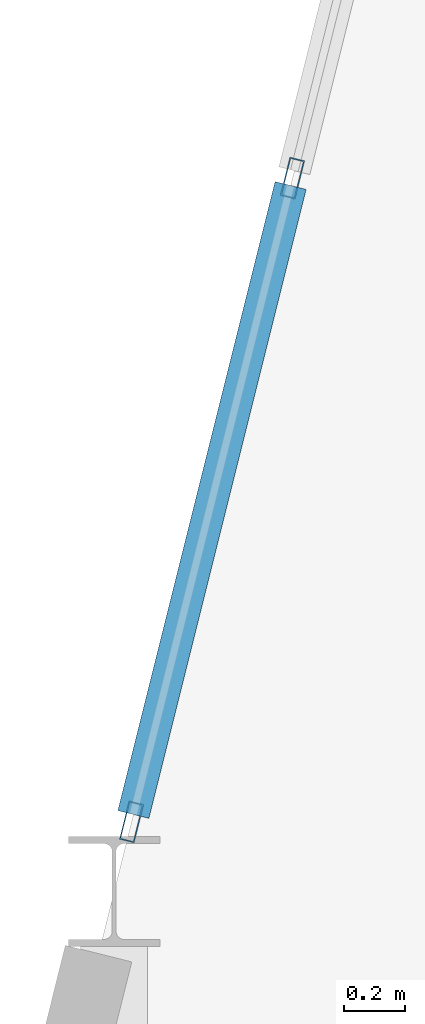
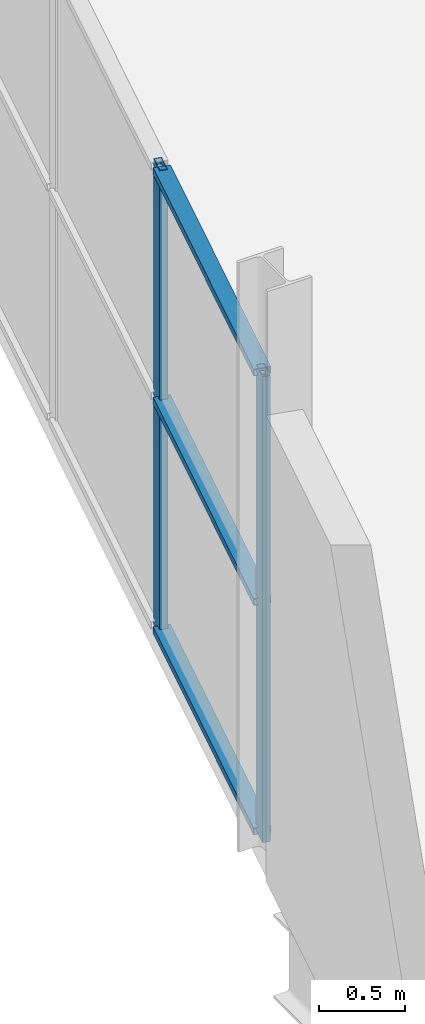
# One storey, part 56 of 135: 5 members, 1 element without a shape of its own.
"""IFC4 building model written with IfcOpenShell, lengths in metres."""

import ifcopenshell
import ifcopenshell.guid

model = None  # the IFC model being written
_history = None  # IfcOwnerHistory: only IFC2X3 demands one
_inside = {}  # id of a spatial element -> (the spatial element, [elements in it])
_under = {}  # id of a project, library or spatial element -> (it, [spatial elements below it])
_declared = {}  # id of a project -> (the project, [libraries it declares])
_typed = {}  # id of a type object -> (the type object, [elements of that type])
_made_of = {}  # id of a material, layer set ... -> (it, [elements and type objects made of it])


def new_model(schema):
    """Start an empty IFC model of exactly this schema.

    Asked for "IFC4X3", IfcOpenShell would pick the latest addendum, in which some entities
    have other attributes; the version numbers below select the first issue.
    IFC2X3 requires an IfcOwnerHistory on every rooted entity: one is made here for all.
    """
    global model, _history
    if schema == "IFC4X3":
        model = ifcopenshell.file(schema_version=(4, 3, 0, 0))
    else:
        model = ifcopenshell.file(schema=schema)
    _inside.clear()
    _under.clear()
    _declared.clear()
    _typed.clear()
    _made_of.clear()
    _history = None
    if model.schema == "IFC2X3":
        org = make("IfcOrganization", Name="unknown")
        user = make(
            "IfcPersonAndOrganization",
            ThePerson=make("IfcPerson", FamilyName="unknown"),
            TheOrganization=org,
        )
        app = make(
            "IfcApplication",
            ApplicationDeveloper=org,
            Version="unknown",
            ApplicationFullName="unknown",
            ApplicationIdentifier="unknown",
        )
        _history = make(
            "IfcOwnerHistory",
            OwningUser=user,
            OwningApplication=app,
            ChangeAction="ADDED",
            CreationDate=0,
        )
    return model


def make(cls, **values):
    """One entity of the class cls with the attributes given. An attribute that is None is left unset."""
    return model.create_entity(
        cls, **{name: value for name, value in values.items() if value is not None}
    )


def rooted(cls, **values):
    """An entity with a GlobalId (a new one), such as an element, a storey or a relation."""
    return make(cls, GlobalId=ifcopenshell.guid.new(), OwnerHistory=_history, **values)


def si_unit(unit_type, name, prefix=None):
    """IfcSIUnit, for example si_unit("LENGTHUNIT", "METRE", prefix="MILLI")."""
    return make("IfcSIUnit", UnitType=unit_type, Prefix=prefix, Name=name)


def assignment(units):
    """IfcUnitAssignment: the units of a project."""
    return None if units is None else make("IfcUnitAssignment", Units=units)


def point(xyz):
    """IfcCartesianPoint."""
    return None if xyz is None else make("IfcCartesianPoint", Coordinates=xyz)


def direction(xyz):
    """IfcDirection."""
    return None if xyz is None else make("IfcDirection", DirectionRatios=xyz)


def frame(location, z_axis=None, x_axis=None):
    """IfcAxis2Placement3D, a coordinate frame: its origin and axes. An axis left out is left unset."""
    return make(
        "IfcAxis2Placement3D",
        Location=point(location),
        Axis=direction(z_axis),
        RefDirection=direction(x_axis),
    )


def frame_2d(location, x_axis=None):
    """IfcAxis2Placement2D, a coordinate frame in the plane: its origin and x axis."""
    return make(
        "IfcAxis2Placement2D", Location=point(location), RefDirection=direction(x_axis)
    )


def origin():
    """The frame at (0, 0, 0) with its axes left unset."""
    return frame((0.0, 0.0, 0.0))


def origin_2d():
    """The frame at (0, 0) in the plane with its x axis left unset."""
    return frame_2d((0.0, 0.0))


def place(relative_to, where):
    """IfcLocalPlacement: puts the frame where relative to a parent placement (None: the world)."""
    return make(
        "IfcLocalPlacement", PlacementRelTo=relative_to, RelativePlacement=where
    )


def context(
    kind, dimensions, precision=None, world=None, true_north=None, identifier=None
):
    """IfcGeometricRepresentationContext, for example the 3D "Model" context."""
    return make(
        "IfcGeometricRepresentationContext",
        ContextIdentifier=identifier,
        ContextType=kind,
        CoordinateSpaceDimension=dimensions,
        Precision=precision,
        WorldCoordinateSystem=world,
        TrueNorth=true_north,
    )


def subcontext(parent, identifier, kind, view, scale=None):
    """IfcGeometricRepresentationSubContext, for example "Body" below "Model"."""
    return make(
        "IfcGeometricRepresentationSubContext",
        ContextIdentifier=identifier,
        ContextType=kind,
        ParentContext=parent,
        TargetScale=scale,
        TargetView=view,
    )


def project(units=None, contexts=None):
    """IfcProject with its units and contexts."""
    return rooted(
        "IfcProject",
        Name="project",
        RepresentationContexts=contexts,
        UnitsInContext=assignment(units),
    )


def spatial(cls, under=None, at=None, **own):
    """A site, building, storey or space (cls), placed at a placement, below another one or the project."""
    s = rooted(cls, ObjectPlacement=at, **own)
    if under is not None:
        _under.setdefault(under.id(), (under, []))[1].append(s)
    return s


def profile(cls, at=None, kind="AREA", **sizes):
    """A parametric profile (cls). Its sizes go by their IFC names, for example OverallWidth=200.0."""
    return make(cls, ProfileType=kind, Position=at, **sizes)


def hollow_rectangle(**sizes):
    """IfcRectangleHollowProfileDef."""
    return profile("IfcRectangleHollowProfileDef", **sizes)


def extrude(swept, where, along, depth):
    """IfcExtrudedAreaSolid: the profile swept, set in the frame where, extruded along a direction by depth."""
    return make(
        "IfcExtrudedAreaSolid",
        SweptArea=swept,
        Position=where,
        ExtrudedDirection=direction(along),
        Depth=depth,
    )


def shape(context_of_items, identifier, shape_type, items):
    """IfcShapeRepresentation: the items that make up one representation, for example the "Body"."""
    return make(
        "IfcShapeRepresentation",
        ContextOfItems=context_of_items,
        RepresentationIdentifier=identifier,
        RepresentationType=shape_type,
        Items=items,
    )


def material(Name=None, Category=None):
    """IfcMaterial."""
    return make("IfcMaterial", Name=Name, Category=Category)


def layer(
    of_material, thickness, ventilated=None, Name=None, Category=None, Priority=None
):
    """IfcMaterialLayer: one layer of a wall or slab, of a material (None: an air gap)."""
    return make(
        "IfcMaterialLayer",
        Material=of_material,
        LayerThickness=thickness,
        IsVentilated=ventilated,
        Name=Name,
        Category=Category,
        Priority=Priority,
    )


def layer_set(layers, Name=None):
    """IfcMaterialLayerSet."""
    return make("IfcMaterialLayerSet", MaterialLayers=layers, LayerSetName=Name)


def material_profile(
    of_material, cross_section, Name=None, Category=None, Priority=None
):
    """IfcMaterialProfile: a cross section and its material."""
    return make(
        "IfcMaterialProfile",
        Name=Name,
        Material=of_material,
        Profile=cross_section,
        Priority=Priority,
        Category=Category,
    )


def profile_set(profiles, Name=None, composite=None):
    """IfcMaterialProfileSet."""
    return make(
        "IfcMaterialProfileSet",
        Name=Name,
        MaterialProfiles=profiles,
        CompositeProfile=composite,
    )


def made_of(thing, what):
    """Note that an element or type object is made of a material, layer set ...; save() writes the relation."""
    if what is not None:
        _made_of.setdefault(what.id(), (what, []))[1].append(thing)
    return thing


def type_object(cls, material=None, **own):
    """A type object (cls), such as IfcWallType, which elements share."""
    return made_of(rooted(cls, **own), material)


def element(
    cls,
    number,
    at=None,
    inside=None,
    cuts=None,
    type_object=None,
    material=None,
    context=None,
    identifier="Body",
    shape_type=None,
    held_by="IfcProductDefinitionShape",
    body=None,
    shapes=None,
    **own,
):
    """One element of the class cls, such as IfcWall. Its Tag is "e" and its number.

    at: its placement. inside: the storey or other place that contains it. cuts: it is an
    opening in that element (IfcRelVoidsElement). A single representation is given by context,
    identifier, shape_type and body (its items); several are given by shapes. held_by: the class
    of the entity that holds the representations. save() writes the other relations.
    """
    e = rooted(cls, Tag="e%d" % number, ObjectPlacement=at, **own)
    if body is not None:
        shapes = [shape(context, identifier, shape_type, body)]
    if shapes is not None:
        e.Representation = make(held_by, Representations=shapes)
    if inside is not None:
        _inside.setdefault(inside.id(), (inside, []))[1].append(e)
    if cuts is not None:
        rooted(
            "IfcRelVoidsElement", RelatingBuildingElement=cuts, RelatedOpeningElement=e
        )
    if type_object is not None:
        _typed.setdefault(type_object.id(), (type_object, []))[1].append(e)
    return made_of(e, material)


def aggregate(whole, parts):
    """IfcRelAggregates: a whole, such as a stair, and the parts it consists of."""
    return rooted("IfcRelAggregates", RelatingObject=whole, RelatedObjects=parts)


def save(model, path):
    """Write the relations noted so far, then the file.

    IfcRelAggregates (storeys below a building ...), IfcRelContainedInSpatialStructure (elements
    in a storey), IfcRelDefinesByType, IfcRelAssociatesMaterial and IfcRelDeclares: one each for
    every whole, place, type object, material and project.
    """
    for whole, parts in _under.values():
        aggregate(whole, parts)
    for where, things in _inside.values():
        rooted(
            "IfcRelContainedInSpatialStructure",
            RelatedElements=things,
            RelatingStructure=where,
        )
    for kind, things in _typed.values():
        rooted("IfcRelDefinesByType", RelatedObjects=things, RelatingType=kind)
    for what, things in _made_of.values():
        rooted("IfcRelAssociatesMaterial", RelatedObjects=things, RelatingMaterial=what)
    for by, libraries in _declared.values():
        rooted("IfcRelDeclares", RelatingContext=by, RelatedDefinitions=libraries)
    model.write(path)


model = new_model("IFC4")

# Units and contexts
model_context = context("Model", 3, precision=1e-05, world=origin(), true_north=direction((0.0, 1.0)))
body_context = subcontext(model_context, "Body", "Model", "MODEL_VIEW")
ifc_project = project(units=[si_unit("LENGTHUNIT", "METRE"), si_unit("AREAUNIT", "SQUARE_METRE"), si_unit("VOLUMEUNIT", "CUBIC_METRE"), si_unit("PLANEANGLEUNIT", "RADIAN"), si_unit("MASSUNIT", "GRAM", prefix="KILO")], contexts=[model_context])

# Site, building, storey
site_placement = place(None, origin())
site = spatial("IfcSite", under=ifc_project, at=site_placement, CompositionType="ELEMENT")
building_placement = place(site_placement, origin())
building = spatial("IfcBuilding", under=site, at=building_placement, Name="Deido Ridge Mobility Hub", CompositionType="ELEMENT")
storey_placement = place(building_placement, frame((0.0, 0.0, 4.199951171875)))
storey = spatial("IfcBuildingStorey", under=building, at=storey_placement, Name="L01", CompositionType="ELEMENT", Elevation=4.199951171875)

# Curtain wall, members
ifc_material = material(Name="Anodised aluminium EN AW-6063 T6", Category="aluminium")
ifc_layer = layer(ifc_material, 0.179931640625, Name="Anodised aluminium EN AW-6063 T6")
ifc_layer_set = layer_set([ifc_layer], Name="Anodised aluminium EN AW-6063 T6")
curtain_wall_type = type_object("IfcCurtainWallType", Name="CW-UF-2", PredefinedType="USERDEFINED", material=ifc_layer_set)
curtain_wall_placement = place(storey_placement, origin())
curtain_wall = element("IfcCurtainWall", 1, at=curtain_wall_placement, inside=storey, type_object=curtain_wall_type, Name="Unitised curtain wall CW2", ObjectType="UNITISED FACADE", PredefinedType="USERDEFINED")
ifc_material_profile_1 = material_profile(ifc_material, hollow_rectangle(XDim=0.050048828125, YDim=0.1298828125, WallThickness=0.00390625, at=origin_2d()), Name="RHS 50x130x4")
ifc_profile_set_1 = profile_set([ifc_material_profile_1], Name="Anodised aluminium EN AW-6063 T6")
member_type_1 = type_object("IfcMemberType", Name="MEM-MUL-50X130", PredefinedType="MULLION", material=ifc_profile_set_1)
member_1_placement = place(storey_placement, frame((123.807373046875, 27.22900390625, 0.0), z_axis=(0.0, 0.0, 1.0), x_axis=(-0.970143832947, 0.242530293767, 0.0)))
member_1 = element("IfcMember", 2, at=member_1_placement, type_object=member_type_1, Name="CW2 mullion 1", PredefinedType="MULLION", context=body_context, shape_type="SweptSolid", body=[
    extrude(hollow_rectangle(XDim=0.050048828125, YDim=0.1298828125, WallThickness=0.00390625, at=origin_2d()), origin(), (0.0, 0.0, 1.0), 3.320068359375),
])
member_2_placement = place(storey_placement, frame((124.33642578125, 29.345458984375, 0.0), z_axis=(0.0, 0.0, 1.0), x_axis=(-0.970143832947, 0.242530293767, 0.0)))
member_2 = element("IfcMember", 3, at=member_2_placement, type_object=member_type_1, Name="CW2 mullion 2", PredefinedType="MULLION", context=body_context, shape_type="SweptSolid", body=[
    extrude(hollow_rectangle(XDim=0.050048828125, YDim=0.1298828125, WallThickness=0.00390625, at=origin_2d()), origin(), (0.0, 0.0, 1.0), 3.320068359375),
])
ifc_material_profile_2 = material_profile(ifc_material, hollow_rectangle(XDim=0.10498046875, YDim=0.050048828125, WallThickness=0.00390625, at=origin_2d()), Name="RHS 105x50x4")
ifc_profile_set_2 = profile_set([ifc_material_profile_2], Name="Anodised aluminium EN AW-6063 T6")
member_type_2 = type_object("IfcMemberType", Name="MEM-TRN-105X50", PredefinedType="USERDEFINED", material=ifc_profile_set_2)
member_3_placement = place(storey_placement, frame((123.813232421875, 27.253173828125, 0.025146484375), z_axis=(0.242562571848, 0.970135763045, 0.0), x_axis=(-0.970135763045, 0.242562571848, 0.0)))
member_3 = element("IfcMember", 4, at=member_3_placement, type_object=member_type_2, Name="CW2 transom 1.1", ObjectType="TRANSOM", PredefinedType="USERDEFINED", context=body_context, shape_type="SweptSolid", body=[
    extrude(hollow_rectangle(XDim=0.10498046875, YDim=0.050048828125, WallThickness=0.00390625, at=origin_2d()), origin(), (0.0, 0.0, 1.0), 2.1318359375),
])
member_4_placement = place(storey_placement, frame((123.813232421875, 27.253173828125, 1.66015625), z_axis=(0.242562571848, 0.970135763045, 0.0), x_axis=(-0.970135763045, 0.242562571848, 0.0)))
member_4 = element("IfcMember", 5, at=member_4_placement, type_object=member_type_2, Name="CW2 transom 1.2", ObjectType="TRANSOM", PredefinedType="USERDEFINED", context=body_context, shape_type="SweptSolid", body=[
    extrude(hollow_rectangle(XDim=0.10498046875, YDim=0.050048828125, WallThickness=0.00390625, at=origin_2d()), origin(), (0.0, 0.0, 1.0), 2.1318359375),
])
member_5_placement = place(storey_placement, frame((123.813232421875, 27.253173828125, 3.295166015625), z_axis=(0.242562571848, 0.970135763045, 0.0), x_axis=(-0.970135763045, 0.242562571848, 0.0)))
member_5 = element("IfcMember", 6, at=member_5_placement, type_object=member_type_2, Name="CW2 transom 1.3", ObjectType="TRANSOM", PredefinedType="USERDEFINED", context=body_context, shape_type="SweptSolid", body=[
    extrude(hollow_rectangle(XDim=0.10498046875, YDim=0.050048828125, WallThickness=0.00390625, at=origin_2d()), origin(), (0.0, 0.0, 1.0), 2.1318359375),
])
aggregate(curtain_wall, [member_1, member_2, member_3, member_4, member_5])

save(model, "model.ifc")
